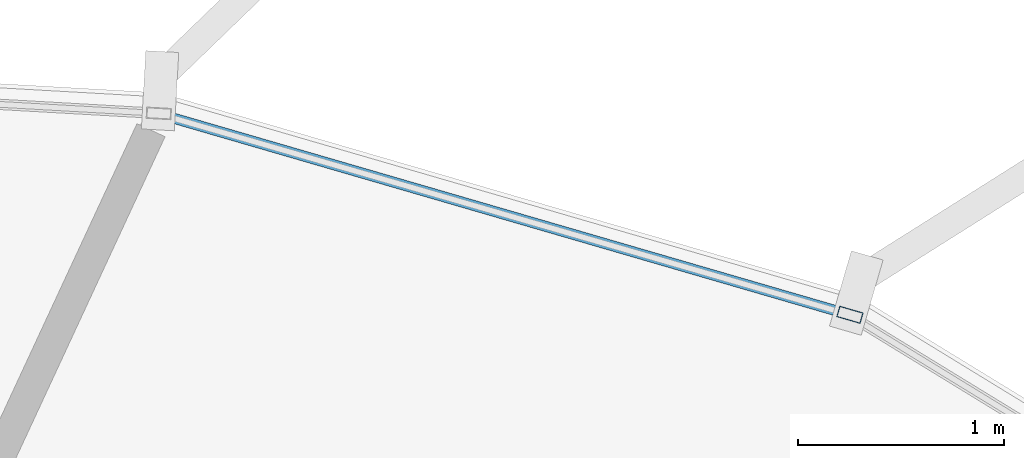
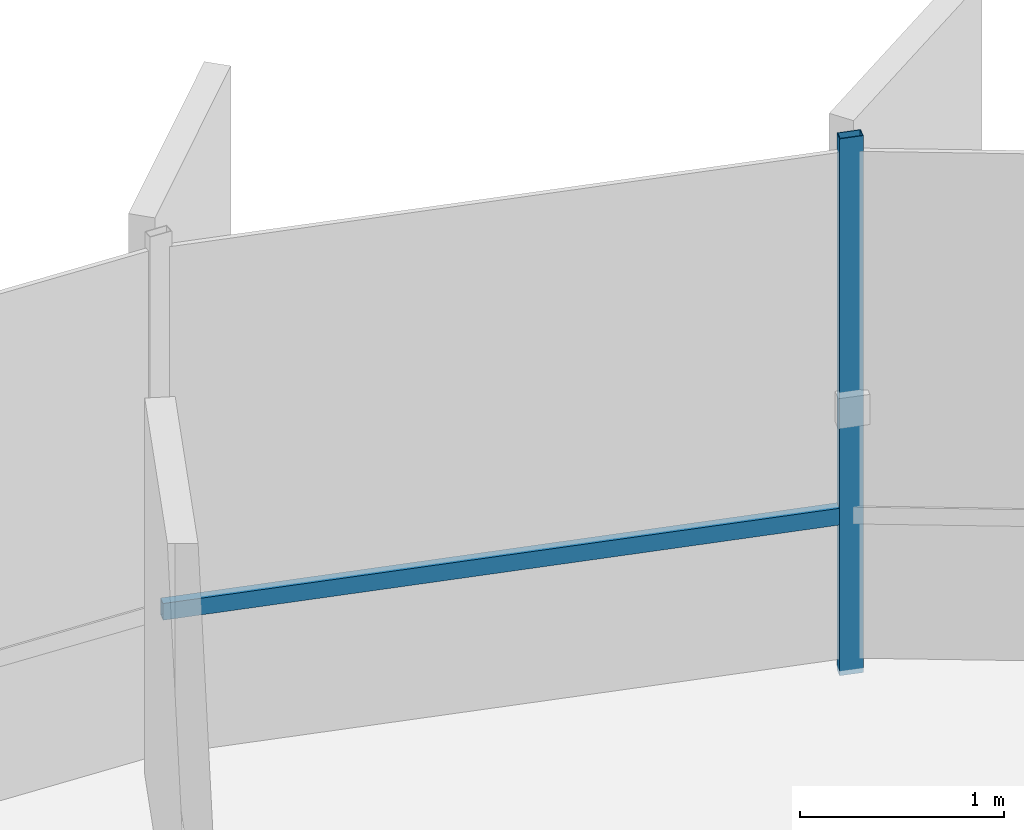
# One storey, part 25 of 33: 2 members, 1 element without a shape of its own.
"""IFC4 building model written with IfcOpenShell, lengths in metres."""

from ifc_helpers import new_model, si_unit, direction, frame, origin, origin_2d, place, context, subcontext, project, spatial, hollow_rectangle, extrude, source, transform, mapped, material, layer, layer_set, material_profile, profile_set, type_object, element, aggregate, save


model = new_model("IFC4")

# Units and contexts
model_context = context("Model", 3, precision=1e-05, world=origin(), true_north=direction((0.0, 1.0)))
body_context = subcontext(model_context, "Body", "Model", "MODEL_VIEW")
ifc_project = project(units=[si_unit("LENGTHUNIT", "METRE"), si_unit("AREAUNIT", "SQUARE_METRE"), si_unit("VOLUMEUNIT", "CUBIC_METRE"), si_unit("PLANEANGLEUNIT", "RADIAN"), si_unit("MASSUNIT", "GRAM", prefix="KILO"), si_unit("THERMODYNAMICTEMPERATUREUNIT", "KELVIN")], contexts=[model_context])

# Site, building, storey
site_placement = place(None, origin())
site = spatial("IfcSite", under=ifc_project, at=site_placement, CompositionType="ELEMENT")
building_placement = place(site_placement, origin())
building = spatial("IfcBuilding", under=site, at=building_placement, Name="Kethvar Cultural Tower", CompositionType="ELEMENT")
storey_placement = place(building_placement, frame((0.0, 0.0, 238.75)))
storey = spatial("IfcBuildingStorey", under=building, at=storey_placement, Name="L62", CompositionType="ELEMENT", Elevation=238.75)

# Curtain wall, members
ifc_material = material(Name="Aluminium 6063-T6", Category="aluminium")
ifc_layer = layer(ifc_material, 0.179931640625, Name="Aluminium 6063-T6", Category="aluminium")
ifc_layer_set = layer_set([ifc_layer], Name="Aluminium 6063-T6 (180 mm)")
curtain_wall_type = type_object("IfcCurtainWallType", Name="CW-SYS-05-Z56", PredefinedType="NOTDEFINED", material=ifc_layer_set)
curtain_wall_placement = place(storey_placement, origin())
curtain_wall = element("IfcCurtainWall", 1, at=curtain_wall_placement, inside=storey, type_object=curtain_wall_type, Name="L62 Curtain Wall Run 01", PredefinedType="NOTDEFINED")
ifc_material_profile_1 = material_profile(ifc_material, hollow_rectangle(XDim=0.054931640625, YDim=0.1201171875, WallThickness=0.00390625, at=origin_2d()), Name="Aluminium 6063-T6 — RHS120x55x4")
ifc_profile_set_1 = profile_set([ifc_material_profile_1], Name="Aluminium 6063-T6 — RHS120x55x4")
member_type_1 = type_object("IfcMemberType", Name="CW-SYS-05-Z56-MUL", PredefinedType="MULLION", material=ifc_profile_set_1)
shared_shape_1 = source(origin(), body_context, "Body", "SweptSolid", [
    extrude(hollow_rectangle(XDim=0.054931640625, YDim=0.1201171875, WallThickness=0.00390625, at=origin_2d()), origin(), (0.0, 0.0, 1.0), 3.2099609375),
])
member_1_placement = place(storey_placement, frame((60.828125, 49.907958984375, 0.0), z_axis=(0.0, 0.0, 1.0), x_axis=(-0.279108425963, -0.960259593317, 0.0)))
member_1 = element("IfcMember", 2, at=member_1_placement, type_object=member_type_1, Name="CW-L62-R01 Mullion 2", PredefinedType="MULLION", context=body_context, shape_type="MappedRepresentation", body=[
    mapped(shared_shape_1, transform((0.0, 0.0, 0.0), scale=1.0)),
])
ifc_material_profile_2 = material_profile(ifc_material, hollow_rectangle(XDim=0.050048828125, YDim=0.10009765625, WallThickness=0.00390625, at=origin_2d()), Name="Aluminium 6063-T6 — RHS100x50x4")
ifc_profile_set_2 = profile_set([ifc_material_profile_2], Name="Aluminium 6063-T6 — RHS100x50x4")
member_type_2 = type_object("IfcMemberType", Name="CW-SYS-05-Z56-TRN", PredefinedType="USERDEFINED", material=ifc_profile_set_2)
shared_shape_2 = source(origin(), body_context, "Body", "SweptSolid", [
    extrude(hollow_rectangle(XDim=0.050048828125, YDim=0.10009765625, WallThickness=0.00390625, at=origin_2d()), origin(), (0.0, 0.0, 1.0), 3.431640625),
])
member_2_placement = place(storey_placement, frame((60.790283203125, 49.9189453125, 0.949951171875), z_axis=(-0.960260150132, 0.279106510259, 0.0), x_axis=(-0.279106510259, -0.960260150132, 0.0)))
member_2 = element("IfcMember", 3, at=member_2_placement, type_object=member_type_2, Name="CW-L62-R01 Transom 2", ObjectType="TRANSOM", PredefinedType="USERDEFINED", context=body_context, shape_type="MappedRepresentation", body=[
    mapped(shared_shape_2, transform((0.0, 0.0, 0.0), scale=1.0)),
])
aggregate(curtain_wall, [member_1, member_2])

save(model, "model.ifc")
